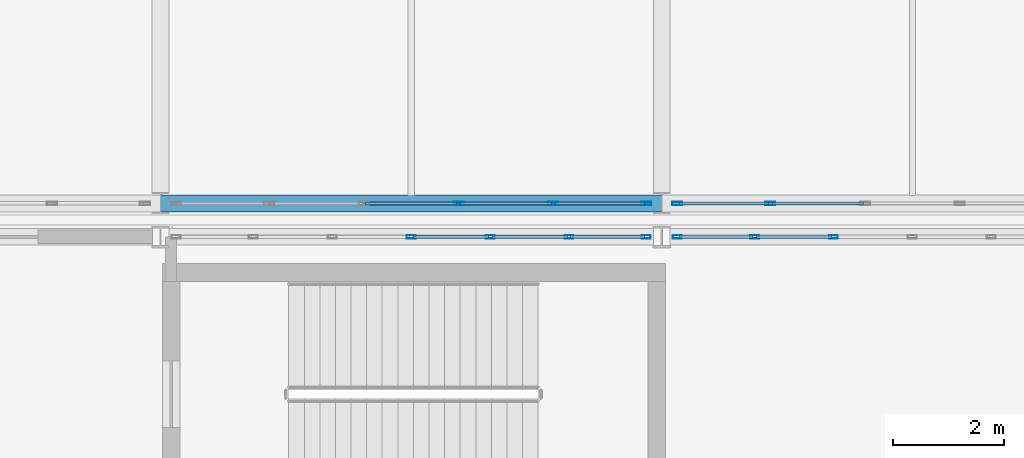
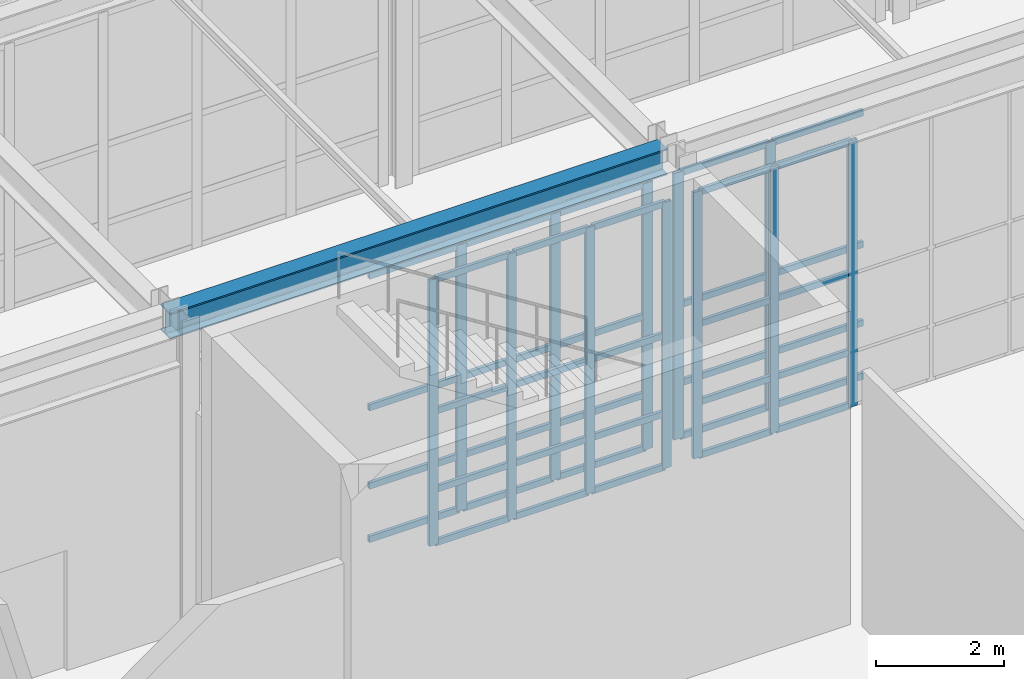
# One storey, part 40 of 146: 52 members, 1 beam, 4 elements without a shape of their own.
"""IFC4 building model written with IfcOpenShell, lengths in metres."""

import ifcopenshell
import ifcopenshell.guid

model = None  # the IFC model being written
_history = None  # IfcOwnerHistory: only IFC2X3 demands one
_inside = {}  # id of a spatial element -> (the spatial element, [elements in it])
_under = {}  # id of a project, library or spatial element -> (it, [spatial elements below it])
_declared = {}  # id of a project -> (the project, [libraries it declares])
_typed = {}  # id of a type object -> (the type object, [elements of that type])
_made_of = {}  # id of a material, layer set ... -> (it, [elements and type objects made of it])


def new_model(schema):
    """Start an empty IFC model of exactly this schema.

    Asked for "IFC4X3", IfcOpenShell would pick the latest addendum, in which some entities
    have other attributes; the version numbers below select the first issue.
    IFC2X3 requires an IfcOwnerHistory on every rooted entity: one is made here for all.
    """
    global model, _history
    if schema == "IFC4X3":
        model = ifcopenshell.file(schema_version=(4, 3, 0, 0))
    else:
        model = ifcopenshell.file(schema=schema)
    _inside.clear()
    _under.clear()
    _declared.clear()
    _typed.clear()
    _made_of.clear()
    _history = None
    if model.schema == "IFC2X3":
        org = make("IfcOrganization", Name="unknown")
        user = make(
            "IfcPersonAndOrganization",
            ThePerson=make("IfcPerson", FamilyName="unknown"),
            TheOrganization=org,
        )
        app = make(
            "IfcApplication",
            ApplicationDeveloper=org,
            Version="unknown",
            ApplicationFullName="unknown",
            ApplicationIdentifier="unknown",
        )
        _history = make(
            "IfcOwnerHistory",
            OwningUser=user,
            OwningApplication=app,
            ChangeAction="ADDED",
            CreationDate=0,
        )
    return model


def make(cls, **values):
    """One entity of the class cls with the attributes given. An attribute that is None is left unset."""
    return model.create_entity(
        cls, **{name: value for name, value in values.items() if value is not None}
    )


def rooted(cls, **values):
    """An entity with a GlobalId (a new one), such as an element, a storey or a relation."""
    return make(cls, GlobalId=ifcopenshell.guid.new(), OwnerHistory=_history, **values)


def si_unit(unit_type, name, prefix=None):
    """IfcSIUnit, for example si_unit("LENGTHUNIT", "METRE", prefix="MILLI")."""
    return make("IfcSIUnit", UnitType=unit_type, Prefix=prefix, Name=name)


def assignment(units):
    """IfcUnitAssignment: the units of a project."""
    return None if units is None else make("IfcUnitAssignment", Units=units)


def point(xyz):
    """IfcCartesianPoint."""
    return None if xyz is None else make("IfcCartesianPoint", Coordinates=xyz)


def direction(xyz):
    """IfcDirection."""
    return None if xyz is None else make("IfcDirection", DirectionRatios=xyz)


def frame(location, z_axis=None, x_axis=None):
    """IfcAxis2Placement3D, a coordinate frame: its origin and axes. An axis left out is left unset."""
    return make(
        "IfcAxis2Placement3D",
        Location=point(location),
        Axis=direction(z_axis),
        RefDirection=direction(x_axis),
    )


def frame_2d(location, x_axis=None):
    """IfcAxis2Placement2D, a coordinate frame in the plane: its origin and x axis."""
    return make(
        "IfcAxis2Placement2D", Location=point(location), RefDirection=direction(x_axis)
    )


def origin():
    """The frame at (0, 0, 0) with its axes left unset."""
    return frame((0.0, 0.0, 0.0))


def origin_2d():
    """The frame at (0, 0) in the plane with its x axis left unset."""
    return frame_2d((0.0, 0.0))


def place(relative_to, where):
    """IfcLocalPlacement: puts the frame where relative to a parent placement (None: the world)."""
    return make(
        "IfcLocalPlacement", PlacementRelTo=relative_to, RelativePlacement=where
    )


def context(
    kind, dimensions, precision=None, world=None, true_north=None, identifier=None
):
    """IfcGeometricRepresentationContext, for example the 3D "Model" context."""
    return make(
        "IfcGeometricRepresentationContext",
        ContextIdentifier=identifier,
        ContextType=kind,
        CoordinateSpaceDimension=dimensions,
        Precision=precision,
        WorldCoordinateSystem=world,
        TrueNorth=true_north,
    )


def subcontext(parent, identifier, kind, view, scale=None):
    """IfcGeometricRepresentationSubContext, for example "Body" below "Model"."""
    return make(
        "IfcGeometricRepresentationSubContext",
        ContextIdentifier=identifier,
        ContextType=kind,
        ParentContext=parent,
        TargetScale=scale,
        TargetView=view,
    )


def project(units=None, contexts=None):
    """IfcProject with its units and contexts."""
    return rooted(
        "IfcProject",
        Name="project",
        RepresentationContexts=contexts,
        UnitsInContext=assignment(units),
    )


def spatial(cls, under=None, at=None, **own):
    """A site, building, storey or space (cls), placed at a placement, below another one or the project."""
    s = rooted(cls, ObjectPlacement=at, **own)
    if under is not None:
        _under.setdefault(under.id(), (under, []))[1].append(s)
    return s


def profile(cls, at=None, kind="AREA", **sizes):
    """A parametric profile (cls). Its sizes go by their IFC names, for example OverallWidth=200.0."""
    return make(cls, ProfileType=kind, Position=at, **sizes)


def hollow_rectangle(**sizes):
    """IfcRectangleHollowProfileDef."""
    return profile("IfcRectangleHollowProfileDef", **sizes)


def i_section(**sizes):
    """IfcIShapeProfileDef."""
    return profile("IfcIShapeProfileDef", **sizes)


def extrude(swept, where, along, depth):
    """IfcExtrudedAreaSolid: the profile swept, set in the frame where, extruded along a direction by depth."""
    return make(
        "IfcExtrudedAreaSolid",
        SweptArea=swept,
        Position=where,
        ExtrudedDirection=direction(along),
        Depth=depth,
    )


def shape(context_of_items, identifier, shape_type, items):
    """IfcShapeRepresentation: the items that make up one representation, for example the "Body"."""
    return make(
        "IfcShapeRepresentation",
        ContextOfItems=context_of_items,
        RepresentationIdentifier=identifier,
        RepresentationType=shape_type,
        Items=items,
    )


def material(Name=None, Category=None):
    """IfcMaterial."""
    return make("IfcMaterial", Name=Name, Category=Category)


def material_profile(
    of_material, cross_section, Name=None, Category=None, Priority=None
):
    """IfcMaterialProfile: a cross section and its material."""
    return make(
        "IfcMaterialProfile",
        Name=Name,
        Material=of_material,
        Profile=cross_section,
        Priority=Priority,
        Category=Category,
    )


def profile_set(profiles, Name=None, composite=None):
    """IfcMaterialProfileSet."""
    return make(
        "IfcMaterialProfileSet",
        Name=Name,
        MaterialProfiles=profiles,
        CompositeProfile=composite,
    )


def made_of(thing, what):
    """Note that an element or type object is made of a material, layer set ...; save() writes the relation."""
    if what is not None:
        _made_of.setdefault(what.id(), (what, []))[1].append(thing)
    return thing


def type_object(cls, material=None, **own):
    """A type object (cls), such as IfcWallType, which elements share."""
    return made_of(rooted(cls, **own), material)


def element(
    cls,
    number,
    at=None,
    inside=None,
    cuts=None,
    type_object=None,
    material=None,
    context=None,
    identifier="Body",
    shape_type=None,
    held_by="IfcProductDefinitionShape",
    body=None,
    shapes=None,
    **own,
):
    """One element of the class cls, such as IfcWall. Its Tag is "e" and its number.

    at: its placement. inside: the storey or other place that contains it. cuts: it is an
    opening in that element (IfcRelVoidsElement). A single representation is given by context,
    identifier, shape_type and body (its items); several are given by shapes. held_by: the class
    of the entity that holds the representations. save() writes the other relations.
    """
    e = rooted(cls, Tag="e%d" % number, ObjectPlacement=at, **own)
    if body is not None:
        shapes = [shape(context, identifier, shape_type, body)]
    if shapes is not None:
        e.Representation = make(held_by, Representations=shapes)
    if inside is not None:
        _inside.setdefault(inside.id(), (inside, []))[1].append(e)
    if cuts is not None:
        rooted(
            "IfcRelVoidsElement", RelatingBuildingElement=cuts, RelatedOpeningElement=e
        )
    if type_object is not None:
        _typed.setdefault(type_object.id(), (type_object, []))[1].append(e)
    return made_of(e, material)


def aggregate(whole, parts):
    """IfcRelAggregates: a whole, such as a stair, and the parts it consists of."""
    return rooted("IfcRelAggregates", RelatingObject=whole, RelatedObjects=parts)


def save(model, path):
    """Write the relations noted so far, then the file.

    IfcRelAggregates (storeys below a building ...), IfcRelContainedInSpatialStructure (elements
    in a storey), IfcRelDefinesByType, IfcRelAssociatesMaterial and IfcRelDeclares: one each for
    every whole, place, type object, material and project.
    """
    for whole, parts in _under.values():
        aggregate(whole, parts)
    for where, things in _inside.values():
        rooted(
            "IfcRelContainedInSpatialStructure",
            RelatedElements=things,
            RelatingStructure=where,
        )
    for kind, things in _typed.values():
        rooted("IfcRelDefinesByType", RelatedObjects=things, RelatingType=kind)
    for what, things in _made_of.values():
        rooted("IfcRelAssociatesMaterial", RelatedObjects=things, RelatingMaterial=what)
    for by, libraries in _declared.values():
        rooted("IfcRelDeclares", RelatingContext=by, RelatedDefinitions=libraries)
    model.write(path)


model = new_model("IFC4")

# Units and contexts
model_context = context("Model", 3, precision=1e-05, world=origin(), true_north=direction((0.0, 1.0)))
body_context = subcontext(model_context, "Body", "Model", "MODEL_VIEW")
ifc_project = project(units=[si_unit("LENGTHUNIT", "METRE"), si_unit("AREAUNIT", "SQUARE_METRE"), si_unit("VOLUMEUNIT", "CUBIC_METRE"), si_unit("PLANEANGLEUNIT", "RADIAN"), si_unit("MASSUNIT", "GRAM", prefix="KILO")], contexts=[model_context])

# Site, building, storey
site_placement = place(None, origin())
site = spatial("IfcSite", under=ifc_project, at=site_placement, CompositionType="ELEMENT")
building_placement = place(site_placement, origin())
building = spatial("IfcBuilding", under=site, at=building_placement, Name="Kaldris Quays Convention Centre", CompositionType="ELEMENT")
storey_placement = place(building_placement, origin())
storey = spatial("IfcBuildingStorey", under=building, at=storey_placement, Name="L00", CompositionType="ELEMENT", Elevation=0.0)

# Curtain wall, members
ifc_material_1 = material(Name="Anodized aluminium AW-6060 and triple glazing", Category="aluminium")
curtain_wall_type_1 = type_object("IfcCurtainWallType", Name="UNITISED CURTAIN WALL CW01", PredefinedType="NOTDEFINED", material=ifc_material_1)
curtain_wall_1_placement = place(storey_placement, origin())
curtain_wall_1 = element("IfcCurtainWall", 1, at=curtain_wall_1_placement, inside=storey, type_object=curtain_wall_type_1, Name="L00 Unitised Curtain Wall CW01 46", PredefinedType="NOTDEFINED")
ifc_material_2 = material(Name="Anodized aluminium AW-6060", Category="aluminium")
ifc_material_profile_1 = material_profile(ifc_material_2, hollow_rectangle(XDim=0.06005859375, YDim=0.159912109375, WallThickness=0.00390625, at=origin_2d()), Name="RHS 160x60x4")
ifc_profile_set_1 = profile_set([ifc_material_profile_1], Name="Anodized aluminium AW-6060")
member_type_1 = type_object("IfcMemberType", Name="CURTAIN MULLION CWM1", PredefinedType="MULLION", material=ifc_profile_set_1)
member_1_placement = place(storey_placement, frame((51.5, 46.0, 0.0), z_axis=(0.0, 0.0, 1.0), x_axis=(0.0, 1.0, 0.0)))
member_1 = element("IfcMember", 2, at=member_1_placement, type_object=member_type_1, Name="CW01 mullion 4", PredefinedType="MULLION", context=body_context, shape_type="SweptSolid", body=[
    extrude(hollow_rectangle(XDim=0.06005859375, YDim=0.159912109375, WallThickness=0.00390625, at=origin_2d()), origin(), (0.0, 0.0, 1.0), 5.097900390625),
])
member_2_placement = place(storey_placement, frame((52.916748046875, 46.0, 0.0), z_axis=(0.0, 0.0, 1.0), x_axis=(0.0, 1.0, 0.0)))
member_2 = element("IfcMember", 3, at=member_2_placement, type_object=member_type_1, Name="CW01 mullion 5", PredefinedType="MULLION", context=body_context, shape_type="SweptSolid", body=[
    extrude(hollow_rectangle(XDim=0.06005859375, YDim=0.159912109375, WallThickness=0.00390625, at=origin_2d()), origin(), (0.0, 0.0, 1.0), 5.097900390625),
])
member_3_placement = place(storey_placement, frame((54.333251953125, 46.0, 0.0), z_axis=(0.0, 0.0, 1.0), x_axis=(0.0, 1.0, 0.0)))
member_3 = element("IfcMember", 4, at=member_3_placement, type_object=member_type_1, Name="CW01 mullion 6", PredefinedType="MULLION", context=body_context, shape_type="SweptSolid", body=[
    extrude(hollow_rectangle(XDim=0.06005859375, YDim=0.159912109375, WallThickness=0.00390625, at=origin_2d()), origin(), (0.0, 0.0, 1.0), 5.097900390625),
])
member_4_placement = place(storey_placement, frame((55.719970703125, 46.0, 0.0), z_axis=(0.0, 0.0, 1.0), x_axis=(0.0, 1.0, 0.0)))
member_4 = element("IfcMember", 5, at=member_4_placement, type_object=member_type_1, Name="CW01 mullion 7", PredefinedType="MULLION", context=body_context, shape_type="SweptSolid", body=[
    extrude(hollow_rectangle(XDim=0.06005859375, YDim=0.159912109375, WallThickness=0.00390625, at=origin_2d()), origin(), (0.0, 0.0, 1.0), 5.097900390625),
])

curtain_wall_2_placement = place(storey_placement, origin())
curtain_wall_2 = element("IfcCurtainWall", 6, at=curtain_wall_2_placement, inside=storey, type_object=curtain_wall_type_1, Name="L00 Unitised Curtain Wall CW01 48", PredefinedType="NOTDEFINED")
member_5_placement = place(storey_placement, frame((56.280029296875, 46.0, 0.0), z_axis=(0.0, 0.0, 1.0), x_axis=(0.0, 1.0, 0.0)))
member_5 = element("IfcMember", 7, at=member_5_placement, type_object=member_type_1, Name="CW01 mullion 1", PredefinedType="MULLION", context=body_context, shape_type="SweptSolid", body=[
    extrude(hollow_rectangle(XDim=0.06005859375, YDim=0.159912109375, WallThickness=0.00390625, at=origin_2d()), origin(), (0.0, 0.0, 1.0), 5.097900390625),
])
member_6_placement = place(storey_placement, frame((57.666748046875, 46.0, 0.0), z_axis=(0.0, 0.0, 1.0), x_axis=(0.0, 1.0, 0.0)))
member_6 = element("IfcMember", 8, at=member_6_placement, type_object=member_type_1, Name="CW01 mullion 2", PredefinedType="MULLION", context=body_context, shape_type="SweptSolid", body=[
    extrude(hollow_rectangle(XDim=0.06005859375, YDim=0.159912109375, WallThickness=0.00390625, at=origin_2d()), origin(), (0.0, 0.0, 1.0), 5.097900390625),
])
member_7_placement = place(storey_placement, frame((59.083251953125, 46.0, 0.0), z_axis=(0.0, 0.0, 1.0), x_axis=(0.0, 1.0, 0.0)))
member_7 = element("IfcMember", 9, at=member_7_placement, type_object=member_type_1, Name="CW01 mullion 3", PredefinedType="MULLION", context=body_context, shape_type="SweptSolid", body=[
    extrude(hollow_rectangle(XDim=0.06005859375, YDim=0.159912109375, WallThickness=0.00390625, at=origin_2d()), origin(), (0.0, 0.0, 1.0), 5.097900390625),
])

curtain_wall_type_2 = type_object("IfcCurtainWallType", Name="UNITISED CURTAIN WALL CW02", PredefinedType="NOTDEFINED", material=ifc_material_1)
curtain_wall_3_placement = place(storey_placement, origin())
curtain_wall_3 = element("IfcCurtainWall", 10, at=curtain_wall_3_placement, inside=storey, type_object=curtain_wall_type_2, Name="L00 Unitised Curtain Wall CW02 82", PredefinedType="NOTDEFINED")
ifc_material_profile_2 = material_profile(ifc_material_2, hollow_rectangle(XDim=0.06005859375, YDim=0.179931640625, WallThickness=0.0048828125, at=origin_2d()), Name="RHS 180x60x5")
ifc_profile_set_2 = profile_set([ifc_material_profile_2], Name="Anodized aluminium AW-6060")
member_type_2 = type_object("IfcMemberType", Name="CURTAIN MULLION CWM2", PredefinedType="MULLION", material=ifc_profile_set_2)
member_8_placement = place(storey_placement, frame((52.35009765625, 46.60009765625, 0.0), z_axis=(0.0, 0.0, 1.0), x_axis=(0.0, 1.0, 0.0)))
member_8 = element("IfcMember", 11, at=member_8_placement, type_object=member_type_2, Name="CW02 mullion 4", PredefinedType="MULLION", context=body_context, shape_type="SweptSolid", body=[
    extrude(hollow_rectangle(XDim=0.06005859375, YDim=0.179931640625, WallThickness=0.0048828125, at=origin_2d()), origin(), (0.0, 0.0, 1.0), 5.10009765625),
])
member_9_placement = place(storey_placement, frame((54.050048828125, 46.60009765625, 0.0), z_axis=(0.0, 0.0, 1.0), x_axis=(0.0, 1.0, 0.0)))
member_9 = element("IfcMember", 12, at=member_9_placement, type_object=member_type_2, Name="CW02 mullion 5", PredefinedType="MULLION", context=body_context, shape_type="SweptSolid", body=[
    extrude(hollow_rectangle(XDim=0.06005859375, YDim=0.179931640625, WallThickness=0.0048828125, at=origin_2d()), origin(), (0.0, 0.0, 1.0), 5.10009765625),
])
member_10_placement = place(storey_placement, frame((55.719970703125, 46.60009765625, 0.0), z_axis=(0.0, 0.0, 1.0), x_axis=(0.0, 1.0, 0.0)))
member_10 = element("IfcMember", 13, at=member_10_placement, type_object=member_type_2, Name="CW02 mullion 6", PredefinedType="MULLION", context=body_context, shape_type="SweptSolid", body=[
    extrude(hollow_rectangle(XDim=0.06005859375, YDim=0.179931640625, WallThickness=0.0048828125, at=origin_2d()), origin(), (0.0, 0.0, 1.0), 5.10009765625),
])

curtain_wall_4_placement = place(storey_placement, origin())
curtain_wall_4 = element("IfcCurtainWall", 14, at=curtain_wall_4_placement, inside=storey, type_object=curtain_wall_type_2, Name="L00 Unitised Curtain Wall CW02 84", PredefinedType="NOTDEFINED")
member_11_placement = place(storey_placement, frame((56.280029296875, 46.60009765625, 0.0), z_axis=(0.0, 0.0, 1.0), x_axis=(0.0, 1.0, 0.0)))
member_11 = element("IfcMember", 15, at=member_11_placement, type_object=member_type_2, Name="CW02 mullion 1", PredefinedType="MULLION", context=body_context, shape_type="SweptSolid", body=[
    extrude(hollow_rectangle(XDim=0.06005859375, YDim=0.179931640625, WallThickness=0.0048828125, at=origin_2d()), origin(), (0.0, 0.0, 1.0), 5.10009765625),
])
member_12_placement = place(storey_placement, frame((57.949951171875, 46.60009765625, 0.0), z_axis=(0.0, 0.0, 1.0), x_axis=(0.0, 1.0, 0.0)))
member_12 = element("IfcMember", 16, at=member_12_placement, type_object=member_type_2, Name="CW02 mullion 2", PredefinedType="MULLION", context=body_context, shape_type="SweptSolid", body=[
    extrude(hollow_rectangle(XDim=0.06005859375, YDim=0.179931640625, WallThickness=0.0048828125, at=origin_2d()), origin(), (0.0, 0.0, 1.0), 5.10009765625),
])

# Member
ifc_material_profile_3 = material_profile(ifc_material_2, hollow_rectangle(XDim=0.06005859375, YDim=0.1201171875, WallThickness=0.00390625, at=origin_2d()), Name="RHS 120x60x4")
ifc_profile_set_3 = profile_set([ifc_material_profile_3], Name="Anodized aluminium AW-6060")
member_type_3 = type_object("IfcMemberType", Name="CURTAIN TRANSOM CWT1", PredefinedType="USERDEFINED", material=ifc_profile_set_3)
member_13_placement = place(storey_placement, frame((51.530029296875, 46.0, 0.030029296875), z_axis=(1.0, 0.0, 0.0), x_axis=(0.0, 1.0, 0.0)))
member_13 = element("IfcMember", 17, at=member_13_placement, type_object=member_type_3, Name="CW01 transom 4.1", ObjectType="TRANSOM", PredefinedType="USERDEFINED", context=body_context, shape_type="SweptSolid", body=[
    extrude(hollow_rectangle(XDim=0.06005859375, YDim=0.1201171875, WallThickness=0.00390625, at=origin_2d()), origin(), (0.0, 0.0, 1.0), 1.356689453125),
])

member_14_placement = place(storey_placement, frame((51.530029296875, 46.0, 1.050048828125), z_axis=(1.0, 0.0, 0.0), x_axis=(0.0, 1.0, 0.0)))
member_14 = element("IfcMember", 18, at=member_14_placement, type_object=member_type_3, Name="CW01 transom 4.2", ObjectType="TRANSOM", PredefinedType="USERDEFINED", context=body_context, shape_type="SweptSolid", body=[
    extrude(hollow_rectangle(XDim=0.06005859375, YDim=0.1201171875, WallThickness=0.00390625, at=origin_2d()), origin(), (0.0, 0.0, 1.0), 1.356689453125),
])

member_15_placement = place(storey_placement, frame((51.530029296875, 46.0, 2.549072265625), z_axis=(1.0, 0.0, 0.0), x_axis=(0.0, 1.0, 0.0)))
member_15 = element("IfcMember", 19, at=member_15_placement, type_object=member_type_3, Name="CW01 transom 4.3", ObjectType="TRANSOM", PredefinedType="USERDEFINED", context=body_context, shape_type="SweptSolid", body=[
    extrude(hollow_rectangle(XDim=0.06005859375, YDim=0.1201171875, WallThickness=0.00390625, at=origin_2d()), origin(), (0.0, 0.0, 1.0), 1.356689453125),
])

member_16_placement = place(storey_placement, frame((51.530029296875, 46.0, 5.068115234375), z_axis=(1.0, 0.0, 0.0), x_axis=(0.0, 1.0, 0.0)))
member_16 = element("IfcMember", 20, at=member_16_placement, type_object=member_type_3, Name="CW01 transom 4.4", ObjectType="TRANSOM", PredefinedType="USERDEFINED", context=body_context, shape_type="SweptSolid", body=[
    extrude(hollow_rectangle(XDim=0.06005859375, YDim=0.1201171875, WallThickness=0.00390625, at=origin_2d()), origin(), (0.0, 0.0, 1.0), 1.356689453125),
])

member_17_placement = place(storey_placement, frame((52.94677734375, 46.0, 0.030029296875), z_axis=(1.0, 0.0, 0.0), x_axis=(0.0, 1.0, 0.0)))
member_17 = element("IfcMember", 21, at=member_17_placement, type_object=member_type_3, Name="CW01 transom 5.1", ObjectType="TRANSOM", PredefinedType="USERDEFINED", context=body_context, shape_type="SweptSolid", body=[
    extrude(hollow_rectangle(XDim=0.06005859375, YDim=0.1201171875, WallThickness=0.00390625, at=origin_2d()), origin(), (0.0, 0.0, 1.0), 1.3564453125),
])

member_18_placement = place(storey_placement, frame((52.94677734375, 46.0, 1.050048828125), z_axis=(1.0, 0.0, 0.0), x_axis=(0.0, 1.0, 0.0)))
member_18 = element("IfcMember", 22, at=member_18_placement, type_object=member_type_3, Name="CW01 transom 5.2", ObjectType="TRANSOM", PredefinedType="USERDEFINED", context=body_context, shape_type="SweptSolid", body=[
    extrude(hollow_rectangle(XDim=0.06005859375, YDim=0.1201171875, WallThickness=0.00390625, at=origin_2d()), origin(), (0.0, 0.0, 1.0), 1.3564453125),
])

member_19_placement = place(storey_placement, frame((52.94677734375, 46.0, 2.549072265625), z_axis=(1.0, 0.0, 0.0), x_axis=(0.0, 1.0, 0.0)))
member_19 = element("IfcMember", 23, at=member_19_placement, type_object=member_type_3, Name="CW01 transom 5.3", ObjectType="TRANSOM", PredefinedType="USERDEFINED", context=body_context, shape_type="SweptSolid", body=[
    extrude(hollow_rectangle(XDim=0.06005859375, YDim=0.1201171875, WallThickness=0.00390625, at=origin_2d()), origin(), (0.0, 0.0, 1.0), 1.3564453125),
])

member_20_placement = place(storey_placement, frame((52.94677734375, 46.0, 5.068115234375), z_axis=(1.0, 0.0, 0.0), x_axis=(0.0, 1.0, 0.0)))
member_20 = element("IfcMember", 24, at=member_20_placement, type_object=member_type_3, Name="CW01 transom 5.4", ObjectType="TRANSOM", PredefinedType="USERDEFINED", context=body_context, shape_type="SweptSolid", body=[
    extrude(hollow_rectangle(XDim=0.06005859375, YDim=0.1201171875, WallThickness=0.00390625, at=origin_2d()), origin(), (0.0, 0.0, 1.0), 1.3564453125),
])

member_21_placement = place(storey_placement, frame((54.36328125, 46.0, 0.030029296875), z_axis=(1.0, 0.0, 0.0), x_axis=(0.0, 1.0, 0.0)))
member_21 = element("IfcMember", 25, at=member_21_placement, type_object=member_type_3, Name="CW01 transom 6.1", ObjectType="TRANSOM", PredefinedType="USERDEFINED", context=body_context, shape_type="SweptSolid", body=[
    extrude(hollow_rectangle(XDim=0.06005859375, YDim=0.1201171875, WallThickness=0.00390625, at=origin_2d()), origin(), (0.0, 0.0, 1.0), 1.32666015625),
])

member_22_placement = place(storey_placement, frame((54.36328125, 46.0, 1.050048828125), z_axis=(1.0, 0.0, 0.0), x_axis=(0.0, 1.0, 0.0)))
member_22 = element("IfcMember", 26, at=member_22_placement, type_object=member_type_3, Name="CW01 transom 6.2", ObjectType="TRANSOM", PredefinedType="USERDEFINED", context=body_context, shape_type="SweptSolid", body=[
    extrude(hollow_rectangle(XDim=0.06005859375, YDim=0.1201171875, WallThickness=0.00390625, at=origin_2d()), origin(), (0.0, 0.0, 1.0), 1.32666015625),
])

member_23_placement = place(storey_placement, frame((54.36328125, 46.0, 2.549072265625), z_axis=(1.0, 0.0, 0.0), x_axis=(0.0, 1.0, 0.0)))
member_23 = element("IfcMember", 27, at=member_23_placement, type_object=member_type_3, Name="CW01 transom 6.3", ObjectType="TRANSOM", PredefinedType="USERDEFINED", context=body_context, shape_type="SweptSolid", body=[
    extrude(hollow_rectangle(XDim=0.06005859375, YDim=0.1201171875, WallThickness=0.00390625, at=origin_2d()), origin(), (0.0, 0.0, 1.0), 1.32666015625),
])

member_24_placement = place(storey_placement, frame((54.36328125, 46.0, 5.068115234375), z_axis=(1.0, 0.0, 0.0), x_axis=(0.0, 1.0, 0.0)))
member_24 = element("IfcMember", 28, at=member_24_placement, type_object=member_type_3, Name="CW01 transom 6.4", ObjectType="TRANSOM", PredefinedType="USERDEFINED", context=body_context, shape_type="SweptSolid", body=[
    extrude(hollow_rectangle(XDim=0.06005859375, YDim=0.1201171875, WallThickness=0.00390625, at=origin_2d()), origin(), (0.0, 0.0, 1.0), 1.32666015625),
])

aggregate(curtain_wall_1, [member_1, member_2, member_3, member_4, member_13, member_14, member_15, member_16, member_17, member_18, member_19, member_20, member_21, member_22, member_23, member_24])

member_25_placement = place(storey_placement, frame((56.31005859375, 46.0, 0.030029296875), z_axis=(1.0, 0.0, 0.0), x_axis=(0.0, 1.0, 0.0)))
member_25 = element("IfcMember", 29, at=member_25_placement, type_object=member_type_3, Name="CW01 transom 1.1", ObjectType="TRANSOM", PredefinedType="USERDEFINED", context=body_context, shape_type="SweptSolid", body=[
    extrude(hollow_rectangle(XDim=0.06005859375, YDim=0.1201171875, WallThickness=0.00390625, at=origin_2d()), origin(), (0.0, 0.0, 1.0), 1.32666015625),
])

member_26_placement = place(storey_placement, frame((56.31005859375, 46.0, 1.050048828125), z_axis=(1.0, 0.0, 0.0), x_axis=(0.0, 1.0, 0.0)))
member_26 = element("IfcMember", 30, at=member_26_placement, type_object=member_type_3, Name="CW01 transom 1.2", ObjectType="TRANSOM", PredefinedType="USERDEFINED", context=body_context, shape_type="SweptSolid", body=[
    extrude(hollow_rectangle(XDim=0.06005859375, YDim=0.1201171875, WallThickness=0.00390625, at=origin_2d()), origin(), (0.0, 0.0, 1.0), 1.32666015625),
])

member_27_placement = place(storey_placement, frame((56.31005859375, 46.0, 2.549072265625), z_axis=(1.0, 0.0, 0.0), x_axis=(0.0, 1.0, 0.0)))
member_27 = element("IfcMember", 31, at=member_27_placement, type_object=member_type_3, Name="CW01 transom 1.3", ObjectType="TRANSOM", PredefinedType="USERDEFINED", context=body_context, shape_type="SweptSolid", body=[
    extrude(hollow_rectangle(XDim=0.06005859375, YDim=0.1201171875, WallThickness=0.00390625, at=origin_2d()), origin(), (0.0, 0.0, 1.0), 1.32666015625),
])

member_28_placement = place(storey_placement, frame((56.31005859375, 46.0, 5.068115234375), z_axis=(1.0, 0.0, 0.0), x_axis=(0.0, 1.0, 0.0)))
member_28 = element("IfcMember", 32, at=member_28_placement, type_object=member_type_3, Name="CW01 transom 1.4", ObjectType="TRANSOM", PredefinedType="USERDEFINED", context=body_context, shape_type="SweptSolid", body=[
    extrude(hollow_rectangle(XDim=0.06005859375, YDim=0.1201171875, WallThickness=0.00390625, at=origin_2d()), origin(), (0.0, 0.0, 1.0), 1.32666015625),
])

member_29_placement = place(storey_placement, frame((57.69677734375, 46.0, 0.030029296875), z_axis=(1.0, 0.0, 0.0), x_axis=(0.0, 1.0, 0.0)))
member_29 = element("IfcMember", 33, at=member_29_placement, type_object=member_type_3, Name="CW01 transom 2.1", ObjectType="TRANSOM", PredefinedType="USERDEFINED", context=body_context, shape_type="SweptSolid", body=[
    extrude(hollow_rectangle(XDim=0.06005859375, YDim=0.1201171875, WallThickness=0.00390625, at=origin_2d()), origin(), (0.0, 0.0, 1.0), 1.3564453125),
])

member_30_placement = place(storey_placement, frame((57.69677734375, 46.0, 1.050048828125), z_axis=(1.0, 0.0, 0.0), x_axis=(0.0, 1.0, 0.0)))
member_30 = element("IfcMember", 34, at=member_30_placement, type_object=member_type_3, Name="CW01 transom 2.2", ObjectType="TRANSOM", PredefinedType="USERDEFINED", context=body_context, shape_type="SweptSolid", body=[
    extrude(hollow_rectangle(XDim=0.06005859375, YDim=0.1201171875, WallThickness=0.00390625, at=origin_2d()), origin(), (0.0, 0.0, 1.0), 1.3564453125),
])

member_31_placement = place(storey_placement, frame((57.69677734375, 46.0, 2.549072265625), z_axis=(1.0, 0.0, 0.0), x_axis=(0.0, 1.0, 0.0)))
member_31 = element("IfcMember", 35, at=member_31_placement, type_object=member_type_3, Name="CW01 transom 2.3", ObjectType="TRANSOM", PredefinedType="USERDEFINED", context=body_context, shape_type="SweptSolid", body=[
    extrude(hollow_rectangle(XDim=0.06005859375, YDim=0.1201171875, WallThickness=0.00390625, at=origin_2d()), origin(), (0.0, 0.0, 1.0), 1.3564453125),
])

member_32_placement = place(storey_placement, frame((57.69677734375, 46.0, 5.068115234375), z_axis=(1.0, 0.0, 0.0), x_axis=(0.0, 1.0, 0.0)))
member_32 = element("IfcMember", 36, at=member_32_placement, type_object=member_type_3, Name="CW01 transom 2.4", ObjectType="TRANSOM", PredefinedType="USERDEFINED", context=body_context, shape_type="SweptSolid", body=[
    extrude(hollow_rectangle(XDim=0.06005859375, YDim=0.1201171875, WallThickness=0.00390625, at=origin_2d()), origin(), (0.0, 0.0, 1.0), 1.3564453125),
])

aggregate(curtain_wall_2, [member_5, member_6, member_7, member_25, member_26, member_27, member_28, member_29, member_30, member_31, member_32])

member_33_placement = place(storey_placement, frame((50.679931640625, 46.60009765625, 0.030029296875), z_axis=(1.0, 0.0, 0.0), x_axis=(0.0, 1.0, 0.0)))
member_33 = element("IfcMember", 37, at=member_33_placement, type_object=member_type_3, Name="CW02 transom 3.1", ObjectType="TRANSOM", PredefinedType="USERDEFINED", context=body_context, shape_type="SweptSolid", body=[
    extrude(hollow_rectangle(XDim=0.06005859375, YDim=0.1201171875, WallThickness=0.00390625, at=origin_2d()), origin(), (0.0, 0.0, 1.0), 1.64013671875),
])

member_34_placement = place(storey_placement, frame((50.679931640625, 46.60009765625, 1.050048828125), z_axis=(1.0, 0.0, 0.0), x_axis=(0.0, 1.0, 0.0)))
member_34 = element("IfcMember", 38, at=member_34_placement, type_object=member_type_3, Name="CW02 transom 3.2", ObjectType="TRANSOM", PredefinedType="USERDEFINED", context=body_context, shape_type="SweptSolid", body=[
    extrude(hollow_rectangle(XDim=0.06005859375, YDim=0.1201171875, WallThickness=0.00390625, at=origin_2d()), origin(), (0.0, 0.0, 1.0), 1.64013671875),
])

member_35_placement = place(storey_placement, frame((50.679931640625, 46.60009765625, 2.550048828125), z_axis=(1.0, 0.0, 0.0), x_axis=(0.0, 1.0, 0.0)))
member_35 = element("IfcMember", 39, at=member_35_placement, type_object=member_type_3, Name="CW02 transom 3.3", ObjectType="TRANSOM", PredefinedType="USERDEFINED", context=body_context, shape_type="SweptSolid", body=[
    extrude(hollow_rectangle(XDim=0.06005859375, YDim=0.1201171875, WallThickness=0.00390625, at=origin_2d()), origin(), (0.0, 0.0, 1.0), 1.64013671875),
])

member_36_placement = place(storey_placement, frame((50.679931640625, 46.60009765625, 5.070068359375), z_axis=(1.0, 0.0, 0.0), x_axis=(0.0, 1.0, 0.0)))
member_36 = element("IfcMember", 40, at=member_36_placement, type_object=member_type_3, Name="CW02 transom 3.4", ObjectType="TRANSOM", PredefinedType="USERDEFINED", context=body_context, shape_type="SweptSolid", body=[
    extrude(hollow_rectangle(XDim=0.06005859375, YDim=0.1201171875, WallThickness=0.00390625, at=origin_2d()), origin(), (0.0, 0.0, 1.0), 1.64013671875),
])

member_37_placement = place(storey_placement, frame((52.3798828125, 46.60009765625, 0.030029296875), z_axis=(1.0, 0.0, 0.0), x_axis=(0.0, 1.0, 0.0)))
member_37 = element("IfcMember", 41, at=member_37_placement, type_object=member_type_3, Name="CW02 transom 4.1", ObjectType="TRANSOM", PredefinedType="USERDEFINED", context=body_context, shape_type="SweptSolid", body=[
    extrude(hollow_rectangle(XDim=0.06005859375, YDim=0.1201171875, WallThickness=0.00390625, at=origin_2d()), origin(), (0.0, 0.0, 1.0), 1.64013671875),
])

member_38_placement = place(storey_placement, frame((52.3798828125, 46.60009765625, 1.050048828125), z_axis=(1.0, 0.0, 0.0), x_axis=(0.0, 1.0, 0.0)))
member_38 = element("IfcMember", 42, at=member_38_placement, type_object=member_type_3, Name="CW02 transom 4.2", ObjectType="TRANSOM", PredefinedType="USERDEFINED", context=body_context, shape_type="SweptSolid", body=[
    extrude(hollow_rectangle(XDim=0.06005859375, YDim=0.1201171875, WallThickness=0.00390625, at=origin_2d()), origin(), (0.0, 0.0, 1.0), 1.64013671875),
])

member_39_placement = place(storey_placement, frame((52.3798828125, 46.60009765625, 2.550048828125), z_axis=(1.0, 0.0, 0.0), x_axis=(0.0, 1.0, 0.0)))
member_39 = element("IfcMember", 43, at=member_39_placement, type_object=member_type_3, Name="CW02 transom 4.3", ObjectType="TRANSOM", PredefinedType="USERDEFINED", context=body_context, shape_type="SweptSolid", body=[
    extrude(hollow_rectangle(XDim=0.06005859375, YDim=0.1201171875, WallThickness=0.00390625, at=origin_2d()), origin(), (0.0, 0.0, 1.0), 1.64013671875),
])

member_40_placement = place(storey_placement, frame((52.3798828125, 46.60009765625, 5.070068359375), z_axis=(1.0, 0.0, 0.0), x_axis=(0.0, 1.0, 0.0)))
member_40 = element("IfcMember", 44, at=member_40_placement, type_object=member_type_3, Name="CW02 transom 4.4", ObjectType="TRANSOM", PredefinedType="USERDEFINED", context=body_context, shape_type="SweptSolid", body=[
    extrude(hollow_rectangle(XDim=0.06005859375, YDim=0.1201171875, WallThickness=0.00390625, at=origin_2d()), origin(), (0.0, 0.0, 1.0), 1.64013671875),
])

member_41_placement = place(storey_placement, frame((54.080078125, 46.60009765625, 0.030029296875), z_axis=(1.0, 0.0, 0.0), x_axis=(0.0, 1.0, 0.0)))
member_41 = element("IfcMember", 45, at=member_41_placement, type_object=member_type_3, Name="CW02 transom 5.1", ObjectType="TRANSOM", PredefinedType="USERDEFINED", context=body_context, shape_type="SweptSolid", body=[
    extrude(hollow_rectangle(XDim=0.06005859375, YDim=0.1201171875, WallThickness=0.00390625, at=origin_2d()), origin(), (0.0, 0.0, 1.0), 1.60986328125),
])

member_42_placement = place(storey_placement, frame((54.080078125, 46.60009765625, 1.050048828125), z_axis=(1.0, 0.0, 0.0), x_axis=(0.0, 1.0, 0.0)))
member_42 = element("IfcMember", 46, at=member_42_placement, type_object=member_type_3, Name="CW02 transom 5.2", ObjectType="TRANSOM", PredefinedType="USERDEFINED", context=body_context, shape_type="SweptSolid", body=[
    extrude(hollow_rectangle(XDim=0.06005859375, YDim=0.1201171875, WallThickness=0.00390625, at=origin_2d()), origin(), (0.0, 0.0, 1.0), 1.60986328125),
])

member_43_placement = place(storey_placement, frame((54.080078125, 46.60009765625, 2.550048828125), z_axis=(1.0, 0.0, 0.0), x_axis=(0.0, 1.0, 0.0)))
member_43 = element("IfcMember", 47, at=member_43_placement, type_object=member_type_3, Name="CW02 transom 5.3", ObjectType="TRANSOM", PredefinedType="USERDEFINED", context=body_context, shape_type="SweptSolid", body=[
    extrude(hollow_rectangle(XDim=0.06005859375, YDim=0.1201171875, WallThickness=0.00390625, at=origin_2d()), origin(), (0.0, 0.0, 1.0), 1.60986328125),
])

member_44_placement = place(storey_placement, frame((54.080078125, 46.60009765625, 5.070068359375), z_axis=(1.0, 0.0, 0.0), x_axis=(0.0, 1.0, 0.0)))
member_44 = element("IfcMember", 48, at=member_44_placement, type_object=member_type_3, Name="CW02 transom 5.4", ObjectType="TRANSOM", PredefinedType="USERDEFINED", context=body_context, shape_type="SweptSolid", body=[
    extrude(hollow_rectangle(XDim=0.06005859375, YDim=0.1201171875, WallThickness=0.00390625, at=origin_2d()), origin(), (0.0, 0.0, 1.0), 1.60986328125),
])

aggregate(curtain_wall_3, [member_8, member_9, member_10, member_33, member_34, member_35, member_36, member_37, member_38, member_39, member_40, member_41, member_42, member_43, member_44])

member_45_placement = place(storey_placement, frame((56.31005859375, 46.60009765625, 0.030029296875), z_axis=(1.0, 0.0, 0.0), x_axis=(0.0, 1.0, 0.0)))
member_45 = element("IfcMember", 49, at=member_45_placement, type_object=member_type_3, Name="CW02 transom 1.1", ObjectType="TRANSOM", PredefinedType="USERDEFINED", context=body_context, shape_type="SweptSolid", body=[
    extrude(hollow_rectangle(XDim=0.06005859375, YDim=0.1201171875, WallThickness=0.00390625, at=origin_2d()), origin(), (0.0, 0.0, 1.0), 1.60986328125),
])

member_46_placement = place(storey_placement, frame((56.31005859375, 46.60009765625, 1.050048828125), z_axis=(1.0, 0.0, 0.0), x_axis=(0.0, 1.0, 0.0)))
member_46 = element("IfcMember", 50, at=member_46_placement, type_object=member_type_3, Name="CW02 transom 1.2", ObjectType="TRANSOM", PredefinedType="USERDEFINED", context=body_context, shape_type="SweptSolid", body=[
    extrude(hollow_rectangle(XDim=0.06005859375, YDim=0.1201171875, WallThickness=0.00390625, at=origin_2d()), origin(), (0.0, 0.0, 1.0), 1.60986328125),
])

member_47_placement = place(storey_placement, frame((56.31005859375, 46.60009765625, 2.550048828125), z_axis=(1.0, 0.0, 0.0), x_axis=(0.0, 1.0, 0.0)))
member_47 = element("IfcMember", 51, at=member_47_placement, type_object=member_type_3, Name="CW02 transom 1.3", ObjectType="TRANSOM", PredefinedType="USERDEFINED", context=body_context, shape_type="SweptSolid", body=[
    extrude(hollow_rectangle(XDim=0.06005859375, YDim=0.1201171875, WallThickness=0.00390625, at=origin_2d()), origin(), (0.0, 0.0, 1.0), 1.60986328125),
])

member_48_placement = place(storey_placement, frame((56.31005859375, 46.60009765625, 5.070068359375), z_axis=(1.0, 0.0, 0.0), x_axis=(0.0, 1.0, 0.0)))
member_48 = element("IfcMember", 52, at=member_48_placement, type_object=member_type_3, Name="CW02 transom 1.4", ObjectType="TRANSOM", PredefinedType="USERDEFINED", context=body_context, shape_type="SweptSolid", body=[
    extrude(hollow_rectangle(XDim=0.06005859375, YDim=0.1201171875, WallThickness=0.00390625, at=origin_2d()), origin(), (0.0, 0.0, 1.0), 1.60986328125),
])

member_49_placement = place(storey_placement, frame((57.97998046875, 46.60009765625, 0.030029296875), z_axis=(1.0, 0.0, 0.0), x_axis=(0.0, 1.0, 0.0)))
member_49 = element("IfcMember", 53, at=member_49_placement, type_object=member_type_3, Name="CW02 transom 2.1", ObjectType="TRANSOM", PredefinedType="USERDEFINED", context=body_context, shape_type="SweptSolid", body=[
    extrude(hollow_rectangle(XDim=0.06005859375, YDim=0.1201171875, WallThickness=0.00390625, at=origin_2d()), origin(), (0.0, 0.0, 1.0), 1.64013671875),
])

member_50_placement = place(storey_placement, frame((57.97998046875, 46.60009765625, 1.050048828125), z_axis=(1.0, 0.0, 0.0), x_axis=(0.0, 1.0, 0.0)))
member_50 = element("IfcMember", 54, at=member_50_placement, type_object=member_type_3, Name="CW02 transom 2.2", ObjectType="TRANSOM", PredefinedType="USERDEFINED", context=body_context, shape_type="SweptSolid", body=[
    extrude(hollow_rectangle(XDim=0.06005859375, YDim=0.1201171875, WallThickness=0.00390625, at=origin_2d()), origin(), (0.0, 0.0, 1.0), 1.64013671875),
])

member_51_placement = place(storey_placement, frame((57.97998046875, 46.60009765625, 2.550048828125), z_axis=(1.0, 0.0, 0.0), x_axis=(0.0, 1.0, 0.0)))
member_51 = element("IfcMember", 55, at=member_51_placement, type_object=member_type_3, Name="CW02 transom 2.3", ObjectType="TRANSOM", PredefinedType="USERDEFINED", context=body_context, shape_type="SweptSolid", body=[
    extrude(hollow_rectangle(XDim=0.06005859375, YDim=0.1201171875, WallThickness=0.00390625, at=origin_2d()), origin(), (0.0, 0.0, 1.0), 1.64013671875),
])

member_52_placement = place(storey_placement, frame((57.97998046875, 46.60009765625, 5.070068359375), z_axis=(1.0, 0.0, 0.0), x_axis=(0.0, 1.0, 0.0)))
member_52 = element("IfcMember", 56, at=member_52_placement, type_object=member_type_3, Name="CW02 transom 2.4", ObjectType="TRANSOM", PredefinedType="USERDEFINED", context=body_context, shape_type="SweptSolid", body=[
    extrude(hollow_rectangle(XDim=0.06005859375, YDim=0.1201171875, WallThickness=0.00390625, at=origin_2d()), origin(), (0.0, 0.0, 1.0), 1.64013671875),
])

aggregate(curtain_wall_4, [member_11, member_12, member_45, member_46, member_47, member_48, member_49, member_50, member_51, member_52])

# Beam
ifc_material_3 = material(Name="Steel S355J2", Category="steel")
ifc_material_profile_4 = material_profile(ifc_material_3, i_section(OverallWidth=0.300048828125, OverallDepth=0.5, WebThickness=0.014404296875, FlangeThickness=0.028076171875, FilletRadius=0.027099609375, at=origin_2d()), Name="HEB 500")
ifc_profile_set_4 = profile_set([ifc_material_profile_4], Name="Steel S355J2")
beam_type = type_object("IfcBeamType", Name="STRUCTURAL BEAM BM06", PredefinedType="BEAM", material=ifc_profile_set_4)
beam_placement = place(storey_placement, frame((46.99951171875, 46.60009765625, 5.472900390625), z_axis=(1.0, 0.0, 0.0), x_axis=(0.0, 1.0, 0.0)))
element("IfcBeam", 57, at=beam_placement, inside=storey, type_object=beam_type, Name="L00 Girder BM06 3", PredefinedType="BEAM", context=body_context, shape_type="SweptSolid", body=[
    extrude(i_section(OverallWidth=0.300048828125, OverallDepth=0.5, WebThickness=0.014404296875, FlangeThickness=0.028076171875, FilletRadius=0.027099609375, at=origin_2d()), origin(), (0.0, 0.0, 1.0), 9.0009765625),
])

save(model, "model.ifc")
